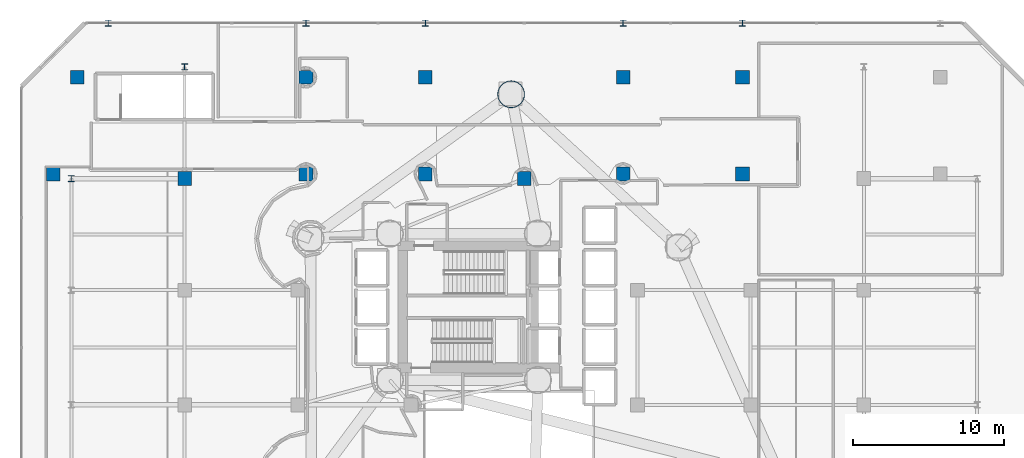
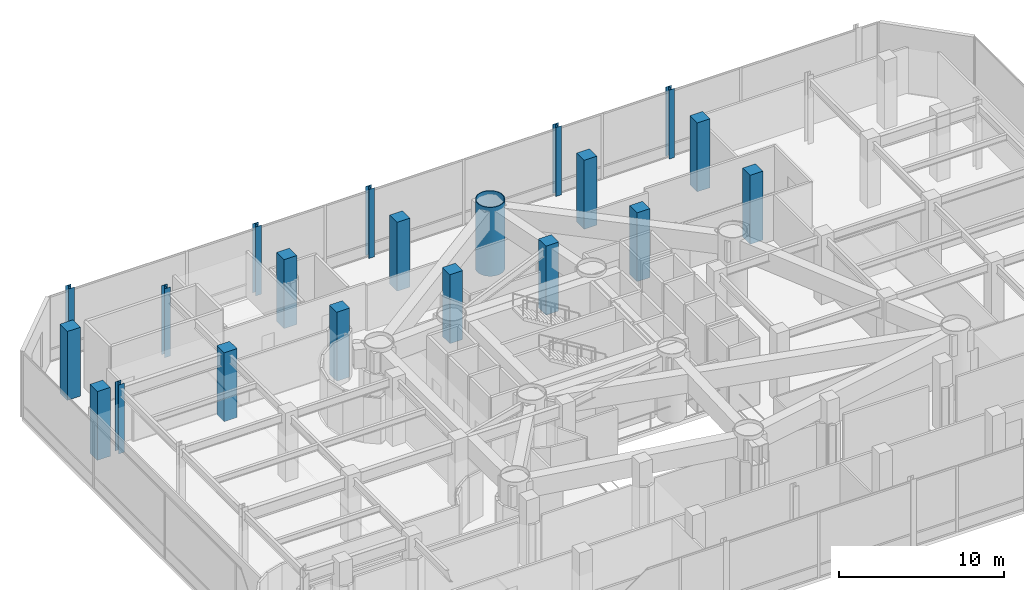
# One storey, part 3 of 40: 20 columns.
"""IFC4 building model written with IfcOpenShell, lengths in metres."""

from ifc_helpers import new_model, si_unit, direction, frame, origin, origin_2d, place, context, subcontext, project, spatial, rectangle, hollow_circle, i_section, extrude, material, material_profile, profile_set, type_object, element, save


model = new_model("IFC4")

# Units and contexts
model_context = context("Model", 3, precision=1e-05, world=origin(), true_north=direction((0.0, 1.0)))
body_context = subcontext(model_context, "Body", "Model", "MODEL_VIEW")
ifc_project = project(units=[si_unit("LENGTHUNIT", "METRE"), si_unit("AREAUNIT", "SQUARE_METRE"), si_unit("VOLUMEUNIT", "CUBIC_METRE"), si_unit("PLANEANGLEUNIT", "RADIAN"), si_unit("MASSUNIT", "GRAM", prefix="KILO")], contexts=[model_context])

# Site, building, storey
site_placement = place(None, origin())
site = spatial("IfcSite", under=ifc_project, at=site_placement, CompositionType="ELEMENT")
building_placement = place(site_placement, origin())
building = spatial("IfcBuilding", under=site, at=building_placement, Name="Qianvela Tower", CompositionType="ELEMENT")
storey_placement = place(building_placement, frame((0.0, 0.0, 20.60009765625)))
storey = spatial("IfcBuildingStorey", under=building, at=storey_placement, Name="L04", CompositionType="ELEMENT", Elevation=20.60009765625)

# Columns
ifc_material_1 = material(Name="Steel Q420GJC", Category="steel")
ifc_material_profile_1 = material_profile(ifc_material_1, hollow_circle(Radius=0.89990234375, WallThickness=0.044921875, at=origin_2d()), Name="CFT-1800x45")
ifc_profile_set_1 = profile_set([ifc_material_profile_1], Name="Steel Q420GJC")
column_type_1 = type_object("IfcColumnType", Name="COL-CFT-1800x45", PredefinedType="COLUMN", material=ifc_profile_set_1)
column_placement = place(storey_placement, frame((36.632080078125, 42.778076171875, 0.0), z_axis=(0.0, 0.0, 1.0), x_axis=(1.0, 0.0, 0.0)))
element("IfcColumn", 1, at=column_placement, inside=storey, type_object=column_type_1, Name="L04 Tower Base CFT Mega-Column C3", PredefinedType="COLUMN", context=body_context, shape_type="SweptSolid", body=[
    extrude(hollow_circle(Radius=0.89990234375, WallThickness=0.044921875, at=origin_2d()), origin(), (0.0, 0.0, 1.0), 5.099853515625),
])
ifc_material_2 = material(Name="Steel Q355B", Category="steel")
ifc_material_profile_2 = material_profile(ifc_material_2, i_section(OverallWidth=0.39990234375, OverallDepth=0.39990234375, WebThickness=0.012939453125, FlangeThickness=0.02099609375, at=origin_2d()), Name="HW400x400x13x21")
ifc_profile_set_2 = profile_set([ifc_material_profile_2], Name="Steel Q355B")
column_type_2 = type_object("IfcColumnType", Name="COL-HW-400", PredefinedType="COLUMN", material=ifc_profile_set_2)
for number, where, z_axis, x_axis, name in (
    (2, (7.5, 37.199951171875, 0.0), (0.0, 0.0, 1.0), (1.0, 0.0, 0.0), "L04 Podium Grid Column P04"),
    (3, (15.0, 44.60009765625, 0.0), (0.0, 0.0, 1.0), (1.0, 0.0, 0.0), "L04 Podium Grid Column P10"),
    (4, (9.955322265625, 47.5, 0.0), (0.0, 0.0, 1.0), (1.0, 0.0, 0.0), "L04 V-Column Transfer Post VC-N1-L"),
    (5, (23.044677734375, 47.5, 0.0), (0.0, 0.0, 1.0), (1.0, 0.0, 0.0), "L04 V-Column Transfer Post VC-N1-R"),
    (6, (30.955322265625, 47.5, 0.0), (0.0, 0.0, 1.0), (1.0, 0.0, 0.0), "L04 V-Column Transfer Post VC-N2-L"),
    (7, (44.044677734375, 47.5, 0.0), (0.0, 0.0, 1.0), (1.0, 0.0, 0.0), "L04 V-Column Transfer Post VC-N2-R"),
    (8, (51.955322265625, 47.5, 0.0), (0.0, 0.0, 1.0), (1.0, 0.0, 0.0), "L04 V-Column Transfer Post VC-N3-L"),
):
    element("IfcColumn", number, at=place(storey_placement, frame(where, z_axis=z_axis, x_axis=x_axis)), inside=storey, type_object=column_type_2, Name=name, PredefinedType="COLUMN", context=body_context, shape_type="SweptSolid", body=[
        extrude(i_section(OverallWidth=0.39990234375, OverallDepth=0.39990234375, WebThickness=0.012939453125, FlangeThickness=0.02099609375, at=origin_2d()), origin(), (0.0, 0.0, 1.0), 5.099853515625),
    ])
ifc_material_3 = material(Name="Concrete C60", Category="concrete")
ifc_material_profile_3 = material_profile(ifc_material_3, rectangle(XDim=0.89990234375, YDim=0.89990234375, at=origin_2d()), Name="RC-COL-900x900")
ifc_profile_set_3 = profile_set([ifc_material_profile_3], Name="Concrete C60")
column_type_3 = type_object("IfcColumnType", Name="COL-RC-900", PredefinedType="COLUMN", material=ifc_profile_set_3)
for number, where, z_axis, x_axis, name in (
    (9, (7.89990234375, 43.89990234375, 0.0), (0.0, 0.0, 1.0), (1.0, 0.0, 0.0), "L04 Concourse Colonnade Column VC-N1-L-B1"),
    (10, (6.300048828125, 37.5, 0.0), (0.0, 0.0, 1.0), (1.0, 0.0, 0.0), "L04 Concourse Colonnade Column VC-N1-L-B2"),
    (11, (23.044677734375, 43.89990234375, 0.0), (0.0, 0.0, 1.0), (1.0, 0.0, 0.0), "L04 Concourse Colonnade Column VC-N1-R-B1"),
    (12, (23.044677734375, 37.5, 0.0), (0.0, 0.0, 1.0), (1.0, 0.0, 0.0), "L04 Concourse Colonnade Column VC-N1-R-B2"),
    (13, (30.955322265625, 43.89990234375, 0.0), (0.0, 0.0, 1.0), (1.0, 0.0, 0.0), "L04 Concourse Colonnade Column VC-N2-L-B1"),
    (14, (30.955322265625, 37.5, 0.0), (0.0, 0.0, 1.0), (1.0, 0.0, 0.0), "L04 Concourse Colonnade Column VC-N2-L-B2"),
    (15, (44.044677734375, 43.89990234375, 0.0), (0.0, 0.0, 1.0), (1.0, 0.0, 0.0), "L04 Concourse Colonnade Column VC-N2-R-B1"),
    (16, (44.044677734375, 37.5, 0.0), (0.0, 0.0, 1.0), (1.0, 0.0, 0.0), "L04 Concourse Colonnade Column VC-N2-R-B2"),
    (17, (51.955322265625, 43.89990234375, 0.0), (0.0, 0.0, 1.0), (1.0, 0.0, 0.0), "L04 Concourse Colonnade Column VC-N3-L-B1"),
    (18, (51.955322265625, 37.5, 0.0), (0.0, 0.0, 1.0), (1.0, 0.0, 0.0), "L04 Concourse Colonnade Column VC-N3-L-B2"),
    (19, (15.0, 37.199951171875, 0.0), (0.0, 0.0, 1.0), (1.0, 0.0, 0.0), "L04 Podium Grid Column P09"),
    (20, (37.5, 37.199951171875, 0.0), (0.0, 0.0, 1.0), (1.0, 0.0, 0.0), "L04 Podium Grid Column P24"),
):
    element("IfcColumn", number, at=place(storey_placement, frame(where, z_axis=z_axis, x_axis=x_axis)), inside=storey, type_object=column_type_3, Name=name, PredefinedType="COLUMN", context=body_context, shape_type="SweptSolid", body=[
        extrude(rectangle(XDim=0.89990234375, YDim=0.89990234375, at=origin_2d()), origin(), (0.0, 0.0, 1.0), 5.099853515625),
    ])

save(model, "model.ifc")
